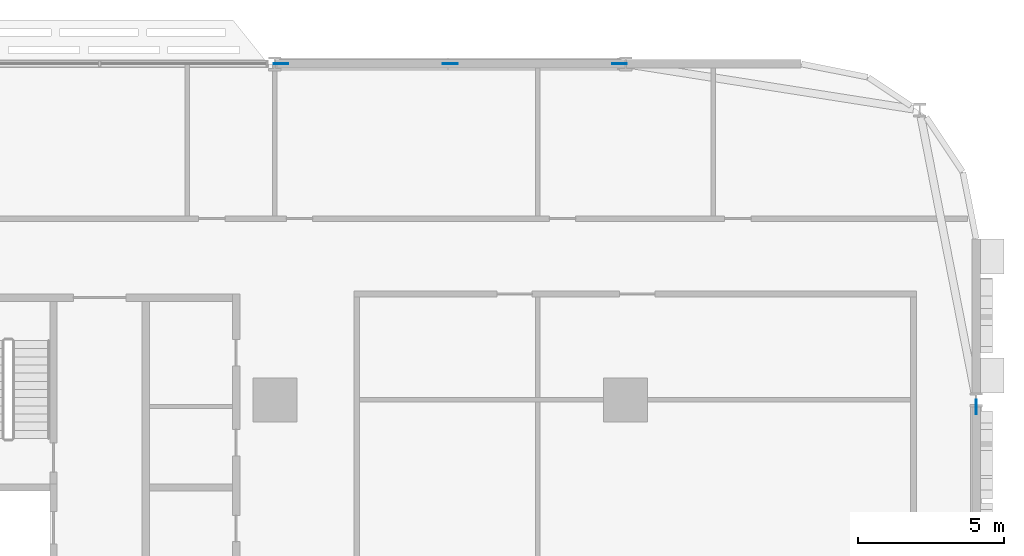
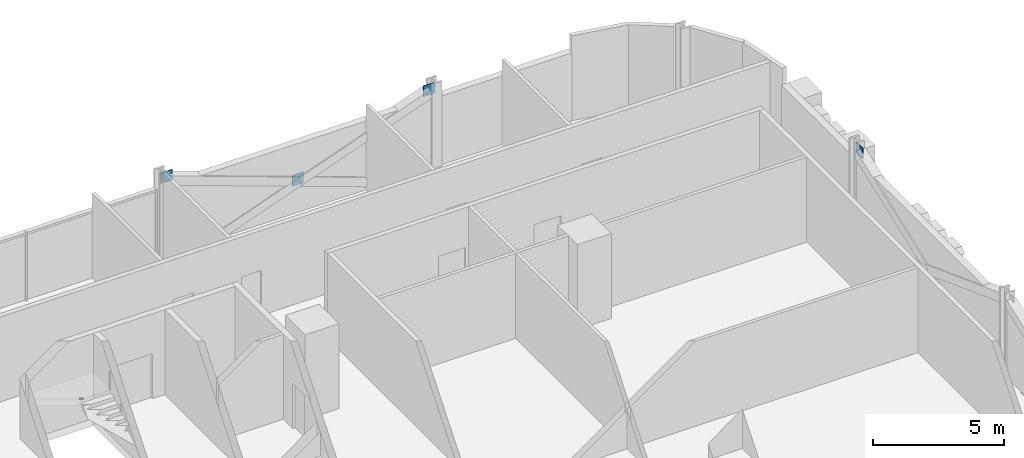
# One storey, part 23 of 29: 4 discrete accessories.
"""IFC4 building model written with IfcOpenShell, lengths in metres."""

import ifcopenshell
import ifcopenshell.guid

model = None  # the IFC model being written
_history = None  # IfcOwnerHistory: only IFC2X3 demands one
_inside = {}  # id of a spatial element -> (the spatial element, [elements in it])
_under = {}  # id of a project, library or spatial element -> (it, [spatial elements below it])
_declared = {}  # id of a project -> (the project, [libraries it declares])
_typed = {}  # id of a type object -> (the type object, [elements of that type])
_made_of = {}  # id of a material, layer set ... -> (it, [elements and type objects made of it])


def new_model(schema):
    """Start an empty IFC model of exactly this schema.

    Asked for "IFC4X3", IfcOpenShell would pick the latest addendum, in which some entities
    have other attributes; the version numbers below select the first issue.
    IFC2X3 requires an IfcOwnerHistory on every rooted entity: one is made here for all.
    """
    global model, _history
    if schema == "IFC4X3":
        model = ifcopenshell.file(schema_version=(4, 3, 0, 0))
    else:
        model = ifcopenshell.file(schema=schema)
    _inside.clear()
    _under.clear()
    _declared.clear()
    _typed.clear()
    _made_of.clear()
    _history = None
    if model.schema == "IFC2X3":
        org = make("IfcOrganization", Name="unknown")
        user = make(
            "IfcPersonAndOrganization",
            ThePerson=make("IfcPerson", FamilyName="unknown"),
            TheOrganization=org,
        )
        app = make(
            "IfcApplication",
            ApplicationDeveloper=org,
            Version="unknown",
            ApplicationFullName="unknown",
            ApplicationIdentifier="unknown",
        )
        _history = make(
            "IfcOwnerHistory",
            OwningUser=user,
            OwningApplication=app,
            ChangeAction="ADDED",
            CreationDate=0,
        )
    return model


def make(cls, **values):
    """One entity of the class cls with the attributes given. An attribute that is None is left unset."""
    return model.create_entity(
        cls, **{name: value for name, value in values.items() if value is not None}
    )


def rooted(cls, **values):
    """An entity with a GlobalId (a new one), such as an element, a storey or a relation."""
    return make(cls, GlobalId=ifcopenshell.guid.new(), OwnerHistory=_history, **values)


def si_unit(unit_type, name, prefix=None):
    """IfcSIUnit, for example si_unit("LENGTHUNIT", "METRE", prefix="MILLI")."""
    return make("IfcSIUnit", UnitType=unit_type, Prefix=prefix, Name=name)


def assignment(units):
    """IfcUnitAssignment: the units of a project."""
    return None if units is None else make("IfcUnitAssignment", Units=units)


def point(xyz):
    """IfcCartesianPoint."""
    return None if xyz is None else make("IfcCartesianPoint", Coordinates=xyz)


def direction(xyz):
    """IfcDirection."""
    return None if xyz is None else make("IfcDirection", DirectionRatios=xyz)


def frame(location, z_axis=None, x_axis=None):
    """IfcAxis2Placement3D, a coordinate frame: its origin and axes. An axis left out is left unset."""
    return make(
        "IfcAxis2Placement3D",
        Location=point(location),
        Axis=direction(z_axis),
        RefDirection=direction(x_axis),
    )


def frame_2d(location, x_axis=None):
    """IfcAxis2Placement2D, a coordinate frame in the plane: its origin and x axis."""
    return make(
        "IfcAxis2Placement2D", Location=point(location), RefDirection=direction(x_axis)
    )


def origin():
    """The frame at (0, 0, 0) with its axes left unset."""
    return frame((0.0, 0.0, 0.0))


def origin_2d():
    """The frame at (0, 0) in the plane with its x axis left unset."""
    return frame_2d((0.0, 0.0))


def place(relative_to, where):
    """IfcLocalPlacement: puts the frame where relative to a parent placement (None: the world)."""
    return make(
        "IfcLocalPlacement", PlacementRelTo=relative_to, RelativePlacement=where
    )


def context(
    kind, dimensions, precision=None, world=None, true_north=None, identifier=None
):
    """IfcGeometricRepresentationContext, for example the 3D "Model" context."""
    return make(
        "IfcGeometricRepresentationContext",
        ContextIdentifier=identifier,
        ContextType=kind,
        CoordinateSpaceDimension=dimensions,
        Precision=precision,
        WorldCoordinateSystem=world,
        TrueNorth=true_north,
    )


def subcontext(parent, identifier, kind, view, scale=None):
    """IfcGeometricRepresentationSubContext, for example "Body" below "Model"."""
    return make(
        "IfcGeometricRepresentationSubContext",
        ContextIdentifier=identifier,
        ContextType=kind,
        ParentContext=parent,
        TargetScale=scale,
        TargetView=view,
    )


def project(units=None, contexts=None):
    """IfcProject with its units and contexts."""
    return rooted(
        "IfcProject",
        Name="project",
        RepresentationContexts=contexts,
        UnitsInContext=assignment(units),
    )


def spatial(cls, under=None, at=None, **own):
    """A site, building, storey or space (cls), placed at a placement, below another one or the project."""
    s = rooted(cls, ObjectPlacement=at, **own)
    if under is not None:
        _under.setdefault(under.id(), (under, []))[1].append(s)
    return s


def profile(cls, at=None, kind="AREA", **sizes):
    """A parametric profile (cls). Its sizes go by their IFC names, for example OverallWidth=200.0."""
    return make(cls, ProfileType=kind, Position=at, **sizes)


def rectangle(**sizes):
    """IfcRectangleProfileDef."""
    return profile("IfcRectangleProfileDef", **sizes)


def extrude(swept, where, along, depth):
    """IfcExtrudedAreaSolid: the profile swept, set in the frame where, extruded along a direction by depth."""
    return make(
        "IfcExtrudedAreaSolid",
        SweptArea=swept,
        Position=where,
        ExtrudedDirection=direction(along),
        Depth=depth,
    )


def shape(context_of_items, identifier, shape_type, items):
    """IfcShapeRepresentation: the items that make up one representation, for example the "Body"."""
    return make(
        "IfcShapeRepresentation",
        ContextOfItems=context_of_items,
        RepresentationIdentifier=identifier,
        RepresentationType=shape_type,
        Items=items,
    )


def material(Name=None, Category=None):
    """IfcMaterial."""
    return make("IfcMaterial", Name=Name, Category=Category)


def layer(
    of_material, thickness, ventilated=None, Name=None, Category=None, Priority=None
):
    """IfcMaterialLayer: one layer of a wall or slab, of a material (None: an air gap)."""
    return make(
        "IfcMaterialLayer",
        Material=of_material,
        LayerThickness=thickness,
        IsVentilated=ventilated,
        Name=Name,
        Category=Category,
        Priority=Priority,
    )


def layer_set(layers, Name=None):
    """IfcMaterialLayerSet."""
    return make("IfcMaterialLayerSet", MaterialLayers=layers, LayerSetName=Name)


def made_of(thing, what):
    """Note that an element or type object is made of a material, layer set ...; save() writes the relation."""
    if what is not None:
        _made_of.setdefault(what.id(), (what, []))[1].append(thing)
    return thing


def type_object(cls, material=None, **own):
    """A type object (cls), such as IfcWallType, which elements share."""
    return made_of(rooted(cls, **own), material)


def element(
    cls,
    number,
    at=None,
    inside=None,
    cuts=None,
    type_object=None,
    material=None,
    context=None,
    identifier="Body",
    shape_type=None,
    held_by="IfcProductDefinitionShape",
    body=None,
    shapes=None,
    **own,
):
    """One element of the class cls, such as IfcWall. Its Tag is "e" and its number.

    at: its placement. inside: the storey or other place that contains it. cuts: it is an
    opening in that element (IfcRelVoidsElement). A single representation is given by context,
    identifier, shape_type and body (its items); several are given by shapes. held_by: the class
    of the entity that holds the representations. save() writes the other relations.
    """
    e = rooted(cls, Tag="e%d" % number, ObjectPlacement=at, **own)
    if body is not None:
        shapes = [shape(context, identifier, shape_type, body)]
    if shapes is not None:
        e.Representation = make(held_by, Representations=shapes)
    if inside is not None:
        _inside.setdefault(inside.id(), (inside, []))[1].append(e)
    if cuts is not None:
        rooted(
            "IfcRelVoidsElement", RelatingBuildingElement=cuts, RelatedOpeningElement=e
        )
    if type_object is not None:
        _typed.setdefault(type_object.id(), (type_object, []))[1].append(e)
    return made_of(e, material)


def aggregate(whole, parts):
    """IfcRelAggregates: a whole, such as a stair, and the parts it consists of."""
    return rooted("IfcRelAggregates", RelatingObject=whole, RelatedObjects=parts)


def save(model, path):
    """Write the relations noted so far, then the file.

    IfcRelAggregates (storeys below a building ...), IfcRelContainedInSpatialStructure (elements
    in a storey), IfcRelDefinesByType, IfcRelAssociatesMaterial and IfcRelDeclares: one each for
    every whole, place, type object, material and project.
    """
    for whole, parts in _under.values():
        aggregate(whole, parts)
    for where, things in _inside.values():
        rooted(
            "IfcRelContainedInSpatialStructure",
            RelatedElements=things,
            RelatingStructure=where,
        )
    for kind, things in _typed.values():
        rooted("IfcRelDefinesByType", RelatedObjects=things, RelatingType=kind)
    for what, things in _made_of.values():
        rooted("IfcRelAssociatesMaterial", RelatedObjects=things, RelatingMaterial=what)
    for by, libraries in _declared.values():
        rooted("IfcRelDeclares", RelatingContext=by, RelatedDefinitions=libraries)
    model.write(path)


model = new_model("IFC4")

# Units and contexts
model_context = context("Model", 3, precision=1e-05, world=origin(), true_north=direction((0.0, 1.0)))
body_context = subcontext(model_context, "Body", "Model", "MODEL_VIEW")
ifc_project = project(units=[si_unit("LENGTHUNIT", "METRE"), si_unit("AREAUNIT", "SQUARE_METRE"), si_unit("VOLUMEUNIT", "CUBIC_METRE"), si_unit("PLANEANGLEUNIT", "RADIAN"), si_unit("MASSUNIT", "GRAM", prefix="KILO")], contexts=[model_context])

# Site, building, storey
site_placement = place(None, origin())
site = spatial("IfcSite", under=ifc_project, at=site_placement, CompositionType="ELEMENT")
building_placement = place(site_placement, origin())
building = spatial("IfcBuilding", under=site, at=building_placement, Name="Mahtab Terrace Research Tower", CompositionType="ELEMENT")
storey_placement = place(building_placement, frame((0.0, 0.0, 58.89990234375)))
storey = spatial("IfcBuildingStorey", under=building, at=storey_placement, Name="L13", CompositionType="ELEMENT", Elevation=58.89990234375)

# Discrete accessories
ifc_material = material(Name="Steel ASTM A992 Gr 50", Category="steel")
ifc_layer = layer(ifc_material, 0.030029296875)
ifc_layer_set = layer_set([ifc_layer], Name="Gusset plate 500x500x30")
discrete_accessory_type = type_object("IfcDiscreteAccessoryType", Name="Gusset plate 500x500x30", PredefinedType="USERDEFINED", material=ifc_layer_set)
for number, where, z_axis, x_axis, name in (
    (1, (30.212158203125, 23.0, 3.33154296875), (0.0, 0.0, 1.0), (1.0, 0.0, 0.0), "Gusset plate"),
    (2, (36.0, 23.0, 1.181640625), (0.0, 0.0, 1.0), (1.0, 0.0, 0.0), "Gusset plate"),
    (3, (41.787841796875, 23.0, 3.33154296875), (0.0, 0.0, 1.0), (1.0, 0.0, 0.0), "Gusset plate"),
    (4, (54.0, 11.262451171875, 3.33154296875), (0.0, 0.0, 1.0), (0.0, 1.0, 0.0), "Gusset plate"),
):
    element("IfcDiscreteAccessory", number, at=place(storey_placement, frame(where, z_axis=z_axis, x_axis=x_axis)), inside=storey, type_object=discrete_accessory_type, Name=name, ObjectType="GUSSET PLATE", PredefinedType="USERDEFINED", context=body_context, shape_type="SweptSolid", body=[
        extrude(rectangle(XDim=0.5, YDim=0.030029296875, at=origin_2d()), origin(), (0.0, 0.0, 1.0), 0.5),
    ])

save(model, "model.ifc")
